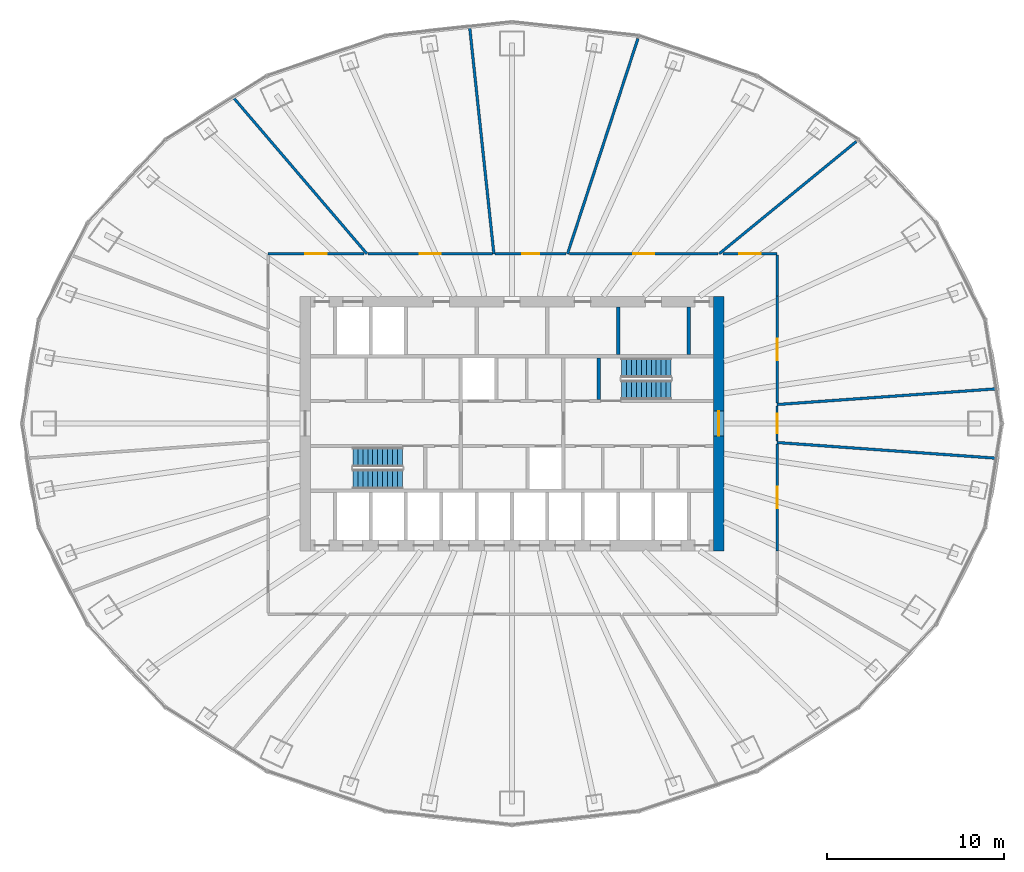
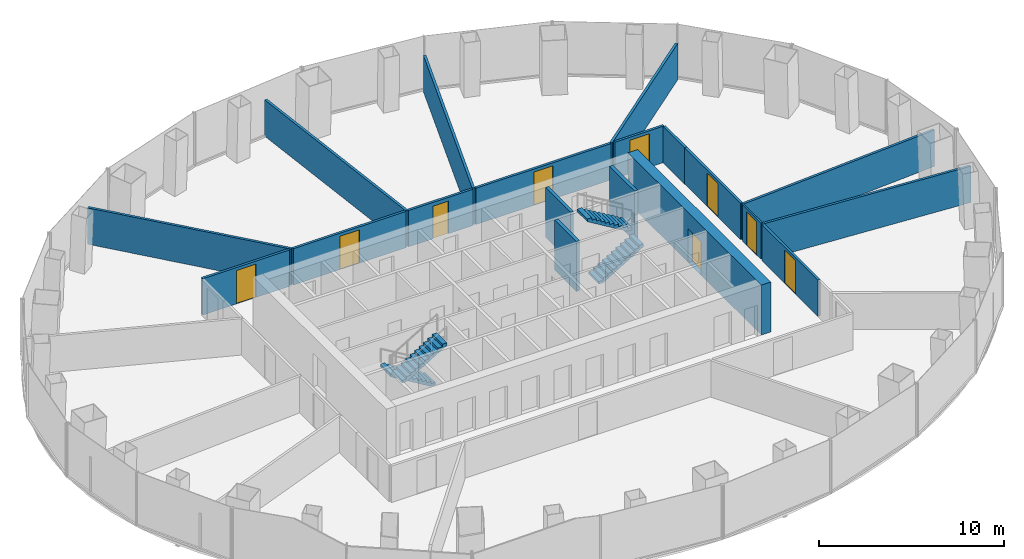
# One storey, part 10 of 11: 19 walls, 9 doors, 4 stair flights, 9 openings, 2 elements without a shape of their own.
"""IFC4 building model written with IfcOpenShell, lengths in metres."""

from ifc_helpers import new_model, si_unit, direction, frame, frame_2d, origin, place, context, subcontext, project, spatial, polyline, rectangle, outline, extrude, material, layer, layer_set, type_object, element, fill, aggregate, save


model = new_model("IFC4")

# Units and contexts
model_context = context("Model", 3, precision=1e-05, world=origin(), true_north=direction((0.0, 1.0)))
body_context = subcontext(model_context, "Body", "Model", "MODEL_VIEW")
ifc_project = project(units=[si_unit("LENGTHUNIT", "METRE"), si_unit("AREAUNIT", "SQUARE_METRE"), si_unit("VOLUMEUNIT", "CUBIC_METRE"), si_unit("PLANEANGLEUNIT", "RADIAN"), si_unit("MASSUNIT", "GRAM", prefix="KILO")], contexts=[model_context])

# Site, building, storey
site_placement = place(None, origin())
site = spatial("IfcSite", under=ifc_project, at=site_placement, CompositionType="ELEMENT")
building_placement = place(site_placement, origin())
building = spatial("IfcBuilding", under=site, at=building_placement, Name="Siaravel Broadcast Tower", CompositionType="ELEMENT")
storey_placement = place(building_placement, frame((0.0, 0.0, 55.60009765625)))
storey = spatial("IfcBuildingStorey", under=building, at=storey_placement, Name="L12", CompositionType="ELEMENT", Elevation=55.60009765625)

# Wall
ifc_material_1 = material(Name="Concrete blockwork", Category="masonry")
ifc_layer_1 = layer(ifc_material_1, 0.199951171875)
ifc_layer_set_1 = layer_set([ifc_layer_1], Name="Concrete blockwork")
wall_type_1 = type_object("IfcWallType", Name="Core partition 200", PredefinedType="PARTITIONING", material=ifc_layer_set_1)
wall_1_placement = place(storey_placement, frame((6.0, 3.89990234375, 0.0), z_axis=(0.0, 0.0, 1.0), x_axis=(0.0, 1.0, 0.0)))
element("IfcWall", 1, at=wall_1_placement, inside=storey, type_object=wall_type_1, Name="L12 core partition PFN6", PredefinedType="PARTITIONING", context=body_context, shape_type="SweptSolid", body=[
    extrude(rectangle(XDim=2.7001953125, YDim=0.199951171875, at=frame_2d((1.35009765625, 0.0))), origin(), (0.0, 0.0, 1.0), 3.2998046875),
])

# Wall, opening, door
ifc_material_2 = material(Name="Concrete C60/75", Category="concrete")
ifc_layer_2 = layer(ifc_material_2, 0.60009765625)
ifc_layer_set_2 = layer_set([ifc_layer_2], Name="Concrete C60/75")
wall_type_2 = type_object("IfcWallType", Name="Core wall 600", PredefinedType="SHEAR", material=ifc_layer_set_2)
wall_2_placement = place(storey_placement, frame((11.699951171875, -7.199951171875, 0.0), z_axis=(0.0, 0.0, 1.0), x_axis=(0.0, 1.0, 0.0)))
wall_2 = element("IfcWall", 2, at=wall_2_placement, inside=storey, type_object=wall_type_2, Name="L12 core wall OE", PredefinedType="SHEAR", context=body_context, shape_type="SweptSolid", body=[
    extrude(rectangle(XDim=14.39990234375, YDim=0.60009765625, at=frame_2d((7.199951171875, 0.0))), origin(), (0.0, 0.0, 1.0), 3.2998046875),
])
opening_1_placement = place(wall_2_placement, frame((6.5, 0.0, 0.0)))
opening_1 = element("IfcOpeningElement", 3, at=opening_1_placement, cuts=wall_2, Name="Opening L12-DX-E", PredefinedType="OPENING", context=body_context, shape_type="SweptSolid", body=[
    extrude(rectangle(XDim=1.39990234375, YDim=2.199951171875, at=frame_2d((0.699951171875, 1.10009765625))), frame((0.0, 0.31005859375, 0.0), z_axis=(0.0, -1.0, 0.0), x_axis=(1.0, 0.0, 0.0)), (0.0, 0.0, 1.0), 0.6201171875),
])
ifc_material_3 = material(Name="Steel", Category="steel")
door_type_1 = type_object("IfcDoorType", Name="Core exit door 1400", OperationType="DOUBLE_DOOR_SINGLE_SWING", PredefinedType="DOOR", material=ifc_material_3)
door_1_placement = place(opening_1_placement, origin())
door_1 = element("IfcDoor", 4, at=door_1_placement, inside=storey, type_object=door_type_1, Name="L12 door DX-E", OperationType="DOUBLE_DOOR_SINGLE_SWING", OverallHeight=2.199951171875, OverallWidth=1.39990234375, PredefinedType="DOOR", context=body_context, shape_type="SweptSolid", body=[
    extrude(rectangle(XDim=1.39990234375, YDim=2.199951171875, at=frame_2d((0.699951171875, 1.10009765625))), frame((0.0, 0.02490234375, 0.0), z_axis=(0.0, -1.0, 0.0), x_axis=(1.0, 0.0, 0.0)), (0.0, 0.0, 1.0), 0.050048828125),
])
fill(opening_1, door_1)

ifc_material_4 = material(Name="Gypsum board partition", Category="gypsum")
ifc_layer_3 = layer(ifc_material_4, 0.14990234375)
ifc_layer_set_3 = layer_set([ifc_layer_3], Name="Gypsum board partition")
wall_type_3 = type_object("IfcWallType", Name="Corridor wall 150", PredefinedType="PARTITIONING", material=ifc_layer_set_3)
wall_3_placement = place(storey_placement, frame((11.67041015625, 9.60009765625, 0.0), z_axis=(0.0, 0.0, 1.0), x_axis=(-1.0, 0.0, 0.0)))
wall_3 = element("IfcWall", 5, at=wall_3_placement, inside=storey, type_object=wall_type_3, Name="L12 partition 15", PredefinedType="PARTITIONING", context=body_context, shape_type="SweptSolid", body=[
    extrude(rectangle(XDim=8.424560546875, YDim=0.14990234375, at=frame_2d((4.21240234375, 0.0))), origin(), (0.0, 0.0, 1.0), 2.39990234375),
])
opening_2_placement = place(wall_3_placement, frame((3.6123046875, 0.0, 0.0)))
opening_2 = element("IfcOpeningElement", 6, at=opening_2_placement, cuts=wall_3, Name="Opening L12-003", PredefinedType="OPENING", context=body_context, shape_type="SweptSolid", body=[
    extrude(rectangle(XDim=1.199951171875, YDim=2.199951171875, at=frame_2d((0.60009765625, 1.10009765625))), frame((0.0, 0.0849609375, 0.0), z_axis=(0.0, -1.0, 0.0), x_axis=(1.0, 0.0, 0.0)), (0.0, 0.0, 1.0), 0.169921875),
])
ifc_material_5 = material(Name="Timber veneer", Category="wood")
door_type_2 = type_object("IfcDoorType", Name="Office double door 1200", OperationType="DOUBLE_DOOR_SINGLE_SWING", PredefinedType="DOOR", material=ifc_material_5)
door_2_placement = place(opening_2_placement, origin())
door_2 = element("IfcDoor", 7, at=door_2_placement, inside=storey, type_object=door_type_2, Name="L12 door to Open plan newsroom", OperationType="DOUBLE_DOOR_SINGLE_SWING", OverallHeight=2.199951171875, OverallWidth=1.199951171875, PredefinedType="DOOR", context=body_context, shape_type="SweptSolid", body=[
    extrude(rectangle(XDim=1.199951171875, YDim=2.199951171875, at=frame_2d((0.60009765625, 1.10009765625))), frame((0.0, 0.02490234375, 0.0), z_axis=(0.0, -1.0, 0.0), x_axis=(1.0, 0.0, 0.0)), (0.0, 0.0, 1.0), 0.050048828125),
])
fill(opening_2, door_2)

wall_4_placement = place(storey_placement, frame((-1.11083984375, 9.60009765625, 0.0), z_axis=(0.0, 0.0, 1.0), x_axis=(-1.0, 0.0, 0.0)))
wall_4 = element("IfcWall", 8, at=wall_4_placement, inside=storey, type_object=wall_type_3, Name="L12 partition 16", PredefinedType="PARTITIONING", context=body_context, shape_type="SweptSolid", body=[
    extrude(rectangle(XDim=7.03662109375, YDim=0.14990234375, at=frame_2d((3.518310546875, 0.0))), origin(), (0.0, 0.0, 1.0), 2.39990234375),
])
opening_3_placement = place(wall_4_placement, frame((2.918212890625, 0.0, 0.0)))
opening_3 = element("IfcOpeningElement", 9, at=opening_3_placement, cuts=wall_4, Name="Opening L12-005", PredefinedType="OPENING", context=body_context, shape_type="SweptSolid", body=[
    extrude(rectangle(XDim=1.199951171875, YDim=2.199951171875, at=frame_2d((0.60009765625, 1.10009765625))), frame((0.0, 0.0849609375, 0.0), z_axis=(0.0, -1.0, 0.0), x_axis=(1.0, 0.0, 0.0)), (0.0, 0.0, 1.0), 0.169921875),
])
door_3_placement = place(opening_3_placement, origin())
door_3 = element("IfcDoor", 10, at=door_3_placement, inside=storey, type_object=door_type_2, Name="L12 door to Open plan newsroom", OperationType="DOUBLE_DOOR_SINGLE_SWING", OverallHeight=2.199951171875, OverallWidth=1.199951171875, PredefinedType="DOOR", context=body_context, shape_type="SweptSolid", body=[
    extrude(rectangle(XDim=1.199951171875, YDim=2.199951171875, at=frame_2d((0.60009765625, 1.10009765625))), frame((0.0, 0.02490234375, 0.0), z_axis=(0.0, -1.0, 0.0), x_axis=(1.0, 0.0, 0.0)), (0.0, 0.0, 1.0), 0.050048828125),
])
fill(opening_3, door_3)

wall_5_placement = place(storey_placement, frame((15.0, -7.2119140625, 0.0), z_axis=(0.0, 0.0, 1.0), x_axis=(0.0, 1.0, 0.0)))
wall_5 = element("IfcWall", 11, at=wall_5_placement, inside=storey, type_object=wall_type_3, Name="L12 partition 18", PredefinedType="PARTITIONING", context=body_context, shape_type="SweptSolid", body=[
    extrude(rectangle(XDim=6.054443359375, YDim=0.14990234375, at=frame_2d((3.02734375, 0.0))), origin(), (0.0, 0.0, 1.0), 2.39990234375),
])
opening_4_placement = place(wall_5_placement, frame((2.42724609375, 0.0, 0.0)))
opening_4 = element("IfcOpeningElement", 12, at=opening_4_placement, cuts=wall_5, Name="Opening L12-015", PredefinedType="OPENING", context=body_context, shape_type="SweptSolid", body=[
    extrude(rectangle(XDim=1.199951171875, YDim=2.199951171875, at=frame_2d((0.60009765625, 1.10009765625))), frame((0.0, 0.0849609375, 0.0), z_axis=(0.0, -1.0, 0.0), x_axis=(1.0, 0.0, 0.0)), (0.0, 0.0, 1.0), 0.169921875),
])
door_4_placement = place(opening_4_placement, origin())
door_4 = element("IfcDoor", 13, at=door_4_placement, inside=storey, type_object=door_type_2, Name="L12 door to Open plan newsroom", OperationType="DOUBLE_DOOR_SINGLE_SWING", OverallHeight=2.199951171875, OverallWidth=1.199951171875, PredefinedType="DOOR", context=body_context, shape_type="SweptSolid", body=[
    extrude(rectangle(XDim=1.199951171875, YDim=2.199951171875, at=frame_2d((0.60009765625, 1.10009765625))), frame((0.0, 0.02490234375, 0.0), z_axis=(0.0, -1.0, 0.0), x_axis=(1.0, 0.0, 0.0)), (0.0, 0.0, 1.0), 0.050048828125),
])
fill(opening_4, door_4)

wall_6_placement = place(storey_placement, frame((15.0, 1.157470703125, 0.0), z_axis=(0.0, 0.0, 1.0), x_axis=(0.0, 1.0, 0.0)))
wall_6 = element("IfcWall", 14, at=wall_6_placement, inside=storey, type_object=wall_type_3, Name="L12 partition 19", PredefinedType="PARTITIONING", context=body_context, shape_type="SweptSolid", body=[
    extrude(rectangle(XDim=6.054443359375, YDim=0.14990234375, at=frame_2d((3.02734375, 0.0))), origin(), (0.0, 0.0, 1.0), 2.39990234375),
])
opening_5_placement = place(wall_6_placement, frame((2.42724609375, 0.0, 0.0)))
opening_5 = element("IfcOpeningElement", 15, at=opening_5_placement, cuts=wall_6, Name="Opening L12-001", PredefinedType="OPENING", context=body_context, shape_type="SweptSolid", body=[
    extrude(rectangle(XDim=1.199951171875, YDim=2.199951171875, at=frame_2d((0.60009765625, 1.10009765625))), frame((0.0, 0.0849609375, 0.0), z_axis=(0.0, -1.0, 0.0), x_axis=(1.0, 0.0, 0.0)), (0.0, 0.0, 1.0), 0.169921875),
])
door_5_placement = place(opening_5_placement, origin())
door_5 = element("IfcDoor", 16, at=door_5_placement, inside=storey, type_object=door_type_2, Name="L12 door to Open plan newsroom", OperationType="DOUBLE_DOOR_SINGLE_SWING", OverallHeight=2.199951171875, OverallWidth=1.199951171875, PredefinedType="DOOR", context=body_context, shape_type="SweptSolid", body=[
    extrude(rectangle(XDim=1.199951171875, YDim=2.199951171875, at=frame_2d((0.60009765625, 1.10009765625))), frame((0.0, 0.02490234375, 0.0), z_axis=(0.0, -1.0, 0.0), x_axis=(1.0, 0.0, 0.0)), (0.0, 0.0, 1.0), 0.050048828125),
])
fill(opening_5, door_5)

wall_7_placement = place(storey_placement, frame((-8.37109375, 9.60009765625, 0.0), z_axis=(0.0, 0.0, 1.0), x_axis=(-1.0, 0.0, 0.0)))
wall_7 = element("IfcWall", 17, at=wall_7_placement, inside=storey, type_object=wall_type_3, Name="L12 partition 20", PredefinedType="PARTITIONING", context=body_context, shape_type="SweptSolid", body=[
    extrude(rectangle(XDim=5.428955078125, YDim=0.14990234375, at=frame_2d((2.71435546875, 0.0))), origin(), (0.0, 0.0, 1.0), 2.39990234375),
])
opening_6_placement = place(wall_7_placement, frame((2.114501953125, 0.0, 0.0)))
opening_6 = element("IfcOpeningElement", 18, at=opening_6_placement, cuts=wall_7, Name="Opening L12-006", PredefinedType="OPENING", context=body_context, shape_type="SweptSolid", body=[
    extrude(rectangle(XDim=1.199951171875, YDim=2.199951171875, at=frame_2d((0.60009765625, 1.10009765625))), frame((0.0, 0.0849609375, 0.0), z_axis=(0.0, -1.0, 0.0), x_axis=(1.0, 0.0, 0.0)), (0.0, 0.0, 1.0), 0.169921875),
])
door_6_placement = place(opening_6_placement, origin())
door_6 = element("IfcDoor", 19, at=door_6_placement, inside=storey, type_object=door_type_2, Name="L12 door to Open plan newsroom", OperationType="DOUBLE_DOOR_SINGLE_SWING", OverallHeight=2.199951171875, OverallWidth=1.199951171875, PredefinedType="DOOR", context=body_context, shape_type="SweptSolid", body=[
    extrude(rectangle(XDim=1.199951171875, YDim=2.199951171875, at=frame_2d((0.60009765625, 1.10009765625))), frame((0.0, 0.02490234375, 0.0), z_axis=(0.0, -1.0, 0.0), x_axis=(1.0, 0.0, 0.0)), (0.0, 0.0, 1.0), 0.050048828125),
])
fill(opening_6, door_6)

wall_8_placement = place(storey_placement, frame((3.067138671875, 9.60009765625, 0.0), z_axis=(0.0, 0.0, 1.0), x_axis=(-1.0, 0.0, 0.0)))
wall_8 = element("IfcWall", 20, at=wall_8_placement, inside=storey, type_object=wall_type_3, Name="L12 partition 23", PredefinedType="PARTITIONING", context=body_context, shape_type="SweptSolid", body=[
    extrude(rectangle(XDim=4.015869140625, YDim=0.14990234375, at=frame_2d((2.0078125, 0.0))), origin(), (0.0, 0.0, 1.0), 2.39990234375),
])
opening_7_placement = place(wall_8_placement, frame((1.532958984375, 0.0, 0.0)))
opening_7 = element("IfcOpeningElement", 21, at=opening_7_placement, cuts=wall_8, Name="Opening L12-004", PredefinedType="OPENING", context=body_context, shape_type="SweptSolid", body=[
    extrude(rectangle(XDim=0.949951171875, YDim=2.14990234375, at=frame_2d((0.47509765625, 1.074951171875))), frame((0.0, 0.0849609375, 0.0), z_axis=(0.0, -1.0, 0.0), x_axis=(1.0, 0.0, 0.0)), (0.0, 0.0, 1.0), 0.169921875),
])
door_type_3 = type_object("IfcDoorType", Name="Office door 950", OperationType="SINGLE_SWING_LEFT", PredefinedType="DOOR", material=ifc_material_5)
door_7_placement = place(opening_7_placement, origin())
door_7 = element("IfcDoor", 22, at=door_7_placement, inside=storey, type_object=door_type_3, Name="L12 door to Production office", OperationType="SINGLE_SWING_RIGHT", OverallHeight=2.14990234375, OverallWidth=0.949951171875, PredefinedType="DOOR", context=body_context, shape_type="SweptSolid", body=[
    extrude(rectangle(XDim=0.949951171875, YDim=2.14990234375, at=frame_2d((0.47509765625, 1.074951171875))), frame((0.0, 0.02490234375, 0.0), z_axis=(0.0, -1.0, 0.0), x_axis=(1.0, 0.0, 0.0)), (0.0, 0.0, 1.0), 0.050048828125),
])
fill(opening_7, door_7)

wall_9_placement = place(storey_placement, frame((15.0, 9.60009765625, 0.0), z_axis=(0.0, 0.0, 1.0), x_axis=(-1.0, 0.0, 0.0)))
wall_9 = element("IfcWall", 23, at=wall_9_placement, inside=storey, type_object=wall_type_3, Name="L12 partition 25", PredefinedType="PARTITIONING", context=body_context, shape_type="SweptSolid", body=[
    extrude(rectangle(XDim=3.068115234375, YDim=0.14990234375, at=frame_2d((1.5341796875, 0.0))), origin(), (0.0, 0.0, 1.0), 2.39990234375),
])
opening_8_placement = place(wall_9_placement, frame((0.93408203125, 0.0, 0.0)))
opening_8 = element("IfcOpeningElement", 24, at=opening_8_placement, cuts=wall_9, Name="Opening L12-002", PredefinedType="OPENING", context=body_context, shape_type="SweptSolid", body=[
    extrude(rectangle(XDim=1.199951171875, YDim=2.199951171875, at=frame_2d((0.60009765625, 1.10009765625))), frame((0.0, 0.0849609375, 0.0), z_axis=(0.0, -1.0, 0.0), x_axis=(1.0, 0.0, 0.0)), (0.0, 0.0, 1.0), 0.169921875),
])
door_8_placement = place(opening_8_placement, origin())
door_8 = element("IfcDoor", 25, at=door_8_placement, inside=storey, type_object=door_type_2, Name="L12 door to Open plan newsroom", OperationType="DOUBLE_DOOR_SINGLE_SWING", OverallHeight=2.199951171875, OverallWidth=1.199951171875, PredefinedType="DOOR", context=body_context, shape_type="SweptSolid", body=[
    extrude(rectangle(XDim=1.199951171875, YDim=2.199951171875, at=frame_2d((0.60009765625, 1.10009765625))), frame((0.0, 0.02490234375, 0.0), z_axis=(0.0, -1.0, 0.0), x_axis=(1.0, 0.0, 0.0)), (0.0, 0.0, 1.0), 0.050048828125),
])
fill(opening_8, door_8)

# Wall
wall_10_placement = place(storey_placement, frame((15.0, 7.212890625, 0.0), z_axis=(0.0, 0.0, 1.0), x_axis=(0.0, 1.0, 0.0)))
element("IfcWall", 26, at=wall_10_placement, inside=storey, type_object=wall_type_3, Name="L12 partition 27", PredefinedType="PARTITIONING", context=body_context, shape_type="SweptSolid", body=[
    extrude(rectangle(XDim=2.31005859375, YDim=0.14990234375, at=frame_2d((1.155029296875, 0.0))), origin(), (0.0, 0.0, 1.0), 2.39990234375),
])

# Wall, opening, door
ifc_material_6 = material(Name="Glazed aluminium partition", Category="aluminium")
ifc_layer_4 = layer(ifc_material_6, 0.10009765625)
ifc_layer_set_4 = layer_set([ifc_layer_4], Name="Glazed aluminium partition")
wall_type_4 = type_object("IfcWallType", Name="Glazed meeting room partition 100", PredefinedType="PARTITIONING", material=ifc_layer_set_4)
wall_11_placement = place(storey_placement, frame((15.0, -0.998046875, 0.0), z_axis=(0.0, 0.0, 1.0), x_axis=(0.0, 1.0, 0.0)))
wall_11 = element("IfcWall", 27, at=wall_11_placement, inside=storey, type_object=wall_type_4, Name="L12 partition 29", PredefinedType="PARTITIONING", context=body_context, shape_type="SweptSolid", body=[
    extrude(rectangle(XDim=1.99609375, YDim=0.10009765625, at=frame_2d((0.998046875, 0.0))), origin(), (0.0, 0.0, 1.0), 2.39990234375),
])
opening_9_placement = place(wall_11_placement, frame((0.447998046875, 0.0, 0.0)))
opening_9 = element("IfcOpeningElement", 28, at=opening_9_placement, cuts=wall_11, Name="Opening L12-016", PredefinedType="OPENING", context=body_context, shape_type="SweptSolid", body=[
    extrude(rectangle(XDim=1.10009765625, YDim=2.199951171875, at=frame_2d((0.550048828125, 1.10009765625))), frame((0.0, 0.06005859375, 0.0), z_axis=(0.0, -1.0, 0.0), x_axis=(1.0, 0.0, 0.0)), (0.0, 0.0, 1.0), 0.1201171875),
])
door_type_4 = type_object("IfcDoorType", Name="Meeting room door 1100", OperationType="SINGLE_SWING_LEFT", PredefinedType="DOOR", material=ifc_material_5)
door_9_placement = place(opening_9_placement, origin())
door_9 = element("IfcDoor", 29, at=door_9_placement, inside=storey, type_object=door_type_4, Name="L12 door to Meeting room", OperationType="SINGLE_SWING_RIGHT", OverallHeight=2.199951171875, OverallWidth=1.10009765625, PredefinedType="DOOR", context=body_context, shape_type="SweptSolid", body=[
    extrude(rectangle(XDim=1.10009765625, YDim=2.199951171875, at=frame_2d((0.550048828125, 1.10009765625))), frame((0.0, 0.02490234375, 0.0), z_axis=(0.0, -1.0, 0.0), x_axis=(1.0, 0.0, 0.0)), (0.0, 0.0, 1.0), 0.050048828125),
])
fill(opening_9, door_9)

# Walls
ifc_layer_5 = layer(ifc_material_4, 0.14990234375)
ifc_layer_set_5 = layer_set([ifc_layer_5], Name="Gypsum board partition")
wall_type_5 = type_object("IfcWallType", Name="Room partition 150", PredefinedType="PARTITIONING", material=ifc_layer_set_5)
wall_12_placement = place(storey_placement, frame((-2.39990234375, 22.468994140625, 0.0), z_axis=(0.0, 0.0, 1.0), x_axis=(0.106204745, -0.994344283, 0.0)))
element("IfcWall", 30, at=wall_12_placement, inside=storey, type_object=wall_type_5, Name="L12 partition 3", PredefinedType="PARTITIONING", context=body_context, shape_type="SweptSolid", body=[
    extrude(rectangle(XDim=12.942138671875, YDim=0.14990234375, at=frame_2d((6.47119140625, 0.0))), origin(), (0.0, 0.0, 1.0), 2.39990234375),
])
wall_13_placement = place(storey_placement, frame((7.126953125, 21.787109375, 0.0), z_axis=(0.0, 0.0, 1.0), x_axis=(-0.310904913, -0.950441021, 0.0)))
element("IfcWall", 31, at=wall_13_placement, inside=storey, type_object=wall_type_5, Name="L12 partition 4", PredefinedType="PARTITIONING", context=body_context, shape_type="SweptSolid", body=[
    extrude(rectangle(XDim=12.822509765625, YDim=0.14990234375, at=frame_2d((6.4111328125, 0.0))), origin(), (0.0, 0.0, 1.0), 2.39990234375),
])
for number, where, z_axis, x_axis, name in (
    (32, (15.0, 1.074951171875, 0.0), (0.0, 0.0, 1.0), (0.997442798, 0.071469326, 0.0), "L12 partition 5"),
    (33, (27.45703125, -1.967529296875, 0.0), (0.0, 0.0, 1.0), (-0.997442798, 0.071469326, 0.0), "L12 partition 6"),
):
    element("IfcWall", number, at=place(storey_placement, frame(where, z_axis=z_axis, x_axis=x_axis)), inside=storey, type_object=wall_type_5, Name=name, PredefinedType="PARTITIONING", context=body_context, shape_type="SweptSolid", body=[
        extrude(rectangle(XDim=12.489013671875, YDim=0.14990234375, at=frame_2d((6.24462890625, 0.0))), origin(), (0.0, 0.0, 1.0), 2.39990234375),
    ])
wall_14_placement = place(storey_placement, frame((-15.7978515625, 18.48046875, 0.0), z_axis=(0.0, 0.0, 1.0), x_axis=(0.649782318, -0.760120345, 0.0)))
element("IfcWall", 34, at=wall_14_placement, inside=storey, type_object=wall_type_5, Name="L12 partition 9", PredefinedType="PARTITIONING", context=body_context, shape_type="SweptSolid", body=[
    extrude(rectangle(XDim=11.682861328125, YDim=0.14990234375, at=frame_2d((5.84130859375, 0.0))), origin(), (0.0, 0.0, 1.0), 2.39990234375),
])
wall_15_placement = place(storey_placement, frame((19.478515625, 15.955078125, 0.0), z_axis=(0.0, 0.0, 1.0), x_axis=(-0.773611193, -0.633660573, 0.0)))
element("IfcWall", 35, at=wall_15_placement, inside=storey, type_object=wall_type_5, Name="L12 partition 12", PredefinedType="PARTITIONING", context=body_context, shape_type="SweptSolid", body=[
    extrude(rectangle(XDim=10.029052734375, YDim=0.14990234375, at=frame_2d((5.0146484375, 0.0))), origin(), (0.0, 0.0, 1.0), 2.39990234375),
])
ifc_layer_6 = layer(ifc_material_2, 0.199951171875)
ifc_layer_set_6 = layer_set([ifc_layer_6], Name="Concrete C60/75")
wall_type_6 = type_object("IfcWallType", Name="Shaft wall 200", PredefinedType="SHEAR", material=ifc_layer_set_6)
wall_16_placement = place(storey_placement, frame((10.0, 3.89990234375, 0.0), z_axis=(0.0, 0.0, 1.0), x_axis=(0.0, 1.0, 0.0)))
element("IfcWall", 36, at=wall_16_placement, inside=storey, type_object=wall_type_6, Name="L12 core wall SWN10", PredefinedType="SHEAR", context=body_context, shape_type="SweptSolid", body=[
    extrude(rectangle(XDim=2.7001953125, YDim=0.199951171875, at=frame_2d((1.35009765625, 0.0))), origin(), (0.0, 0.0, 1.0), 3.2998046875),
])
wall_17_placement = place(storey_placement, frame((4.89990234375, 1.35009765625, 0.0), z_axis=(0.0, 0.0, 1.0), x_axis=(0.0, 1.0, 0.0)))
element("IfcWall", 37, at=wall_17_placement, inside=storey, type_object=wall_type_6, Name="L12 core wall ST2W", PredefinedType="SHEAR", context=body_context, shape_type="SweptSolid", body=[
    extrude(rectangle(XDim=2.349853515625, YDim=0.199951171875, at=frame_2d((1.1748046875, 0.0))), origin(), (0.0, 0.0, 1.0), 3.2998046875),
])

# Stair, stair flights
ifc_material_7 = material(Name="Concrete C40/50", Category="concrete")
stair_type = type_object("IfcStairType", Name="Core exit stair", PredefinedType="HALF_TURN_STAIR", material=ifc_material_7)
stair_1_placement = place(storey_placement, origin())
stair_1 = element("IfcStair", 38, at=stair_1_placement, inside=storey, type_object=stair_type, Name="L12 Exit stair ST-1", PredefinedType="HALF_TURN_STAIR")
stair_flight_type = type_object("IfcStairFlightType", Name="Stair flight 1100", PredefinedType="STRAIGHT", material=ifc_material_7)
stair_flight_1_placement = place(storey_placement, frame((-6.199951171875, -1.89990234375, 0.0), z_axis=(0.0, 0.0, 1.0), x_axis=(-1.0, 0.0, 0.0)))
stair_flight_1 = element("IfcStairFlight", 39, at=stair_flight_1_placement, type_object=stair_flight_type, Name="ST-1 flight 1", NumberOfRisers=11, NumberOfTreads=10, PredefinedType="STRAIGHT", RiserHeight=0.1681818, TreadLength=0.28, context=body_context, shape_type="SweptSolid", body=[
    extrude(outline(polyline([(0.0, 0.0), (0.0, 0.168212890625), (0.280029296875, 0.168212890625), (0.280029296875, 0.33642578125), (0.56005859375, 0.33642578125), (0.56005859375, 0.504638671875), (0.840087890625, 0.504638671875), (0.840087890625, 0.672607421875), (1.1201171875, 0.672607421875), (1.1201171875, 0.8408203125), (1.39990234375, 0.8408203125), (1.39990234375, 1.009033203125), (1.679931640625, 1.009033203125), (1.679931640625, 1.17724609375), (1.9599609375, 1.17724609375), (1.9599609375, 1.345458984375), (2.239990234375, 1.345458984375), (2.239990234375, 1.513671875), (2.52001953125, 1.513671875), (2.52001953125, 1.681884765625), (2.800048828125, 1.681884765625), (2.800048828125, 1.85009765625), (2.800048828125, 1.5068359375), (0.291015625, 0.0), (0.0, 0.0)])), frame((0.0, 0.550048828125, 0.0), z_axis=(0.0, -1.0, 0.0), x_axis=(1.0, 0.0, 0.0)), (0.0, 0.0, 1.0), 1.10009765625),
])
stair_flight_2_placement = place(storey_placement, frame((-9.0, -3.14990234375, 1.849853515625), z_axis=(0.0, 0.0, 1.0), x_axis=(1.0, 0.0, 0.0)))
stair_flight_2 = element("IfcStairFlight", 40, at=stair_flight_2_placement, type_object=stair_flight_type, Name="ST-1 flight 2", NumberOfRisers=11, NumberOfTreads=10, PredefinedType="STRAIGHT", RiserHeight=0.1681818, TreadLength=0.28, context=body_context, shape_type="SweptSolid", body=[
    extrude(outline(polyline([(0.0, 0.0), (0.0, 0.168212890625), (0.280029296875, 0.168212890625), (0.280029296875, 0.33642578125), (0.56005859375, 0.33642578125), (0.56005859375, 0.504638671875), (0.840087890625, 0.504638671875), (0.840087890625, 0.672607421875), (1.1201171875, 0.672607421875), (1.1201171875, 0.8408203125), (1.39990234375, 0.8408203125), (1.39990234375, 1.009033203125), (1.679931640625, 1.009033203125), (1.679931640625, 1.17724609375), (1.9599609375, 1.17724609375), (1.9599609375, 1.345458984375), (2.239990234375, 1.345458984375), (2.239990234375, 1.513671875), (2.52001953125, 1.513671875), (2.52001953125, 1.681884765625), (2.800048828125, 1.681884765625), (2.800048828125, 1.85009765625), (2.800048828125, 1.5068359375), (0.291015625, 0.0), (0.0, 0.0)])), frame((0.0, 0.550048828125, 0.0), z_axis=(0.0, -1.0, 0.0), x_axis=(1.0, 0.0, 0.0)), (0.0, 0.0, 1.0), 1.10009765625),
])
aggregate(stair_1, [stair_flight_1, stair_flight_2])

stair_2_placement = place(storey_placement, origin())
stair_2 = element("IfcStair", 41, at=stair_2_placement, inside=storey, type_object=stair_type, Name="L12 Exit stair ST-2", PredefinedType="HALF_TURN_STAIR")
stair_flight_3_placement = place(storey_placement, frame((6.199951171875, 1.89990234375, 0.0), z_axis=(0.0, 0.0, 1.0), x_axis=(1.0, 0.0, 0.0)))
stair_flight_3 = element("IfcStairFlight", 42, at=stair_flight_3_placement, type_object=stair_flight_type, Name="ST-2 flight 1", NumberOfRisers=11, NumberOfTreads=10, PredefinedType="STRAIGHT", RiserHeight=0.1681818, TreadLength=0.28, context=body_context, shape_type="SweptSolid", body=[
    extrude(outline(polyline([(0.0, 0.0), (0.0, 0.168212890625), (0.280029296875, 0.168212890625), (0.280029296875, 0.33642578125), (0.56005859375, 0.33642578125), (0.56005859375, 0.504638671875), (0.840087890625, 0.504638671875), (0.840087890625, 0.672607421875), (1.1201171875, 0.672607421875), (1.1201171875, 0.8408203125), (1.39990234375, 0.8408203125), (1.39990234375, 1.009033203125), (1.679931640625, 1.009033203125), (1.679931640625, 1.17724609375), (1.9599609375, 1.17724609375), (1.9599609375, 1.345458984375), (2.239990234375, 1.345458984375), (2.239990234375, 1.513671875), (2.52001953125, 1.513671875), (2.52001953125, 1.681884765625), (2.800048828125, 1.681884765625), (2.800048828125, 1.85009765625), (2.800048828125, 1.5068359375), (0.291015625, 0.0), (0.0, 0.0)])), frame((0.0, 0.550048828125, 0.0), z_axis=(0.0, -1.0, 0.0), x_axis=(1.0, 0.0, 0.0)), (0.0, 0.0, 1.0), 1.10009765625),
])
stair_flight_4_placement = place(storey_placement, frame((9.0, 3.14990234375, 1.849853515625), z_axis=(0.0, 0.0, 1.0), x_axis=(-1.0, 0.0, 0.0)))
stair_flight_4 = element("IfcStairFlight", 43, at=stair_flight_4_placement, type_object=stair_flight_type, Name="ST-2 flight 2", NumberOfRisers=11, NumberOfTreads=10, PredefinedType="STRAIGHT", RiserHeight=0.1681818, TreadLength=0.28, context=body_context, shape_type="SweptSolid", body=[
    extrude(outline(polyline([(0.0, 0.0), (0.0, 0.168212890625), (0.280029296875, 0.168212890625), (0.280029296875, 0.33642578125), (0.56005859375, 0.33642578125), (0.56005859375, 0.504638671875), (0.840087890625, 0.504638671875), (0.840087890625, 0.672607421875), (1.1201171875, 0.672607421875), (1.1201171875, 0.8408203125), (1.39990234375, 0.8408203125), (1.39990234375, 1.009033203125), (1.679931640625, 1.009033203125), (1.679931640625, 1.17724609375), (1.9599609375, 1.17724609375), (1.9599609375, 1.345458984375), (2.239990234375, 1.345458984375), (2.239990234375, 1.513671875), (2.52001953125, 1.513671875), (2.52001953125, 1.681884765625), (2.800048828125, 1.681884765625), (2.800048828125, 1.85009765625), (2.800048828125, 1.5068359375), (0.291015625, 0.0), (0.0, 0.0)])), frame((0.0, 0.550048828125, 0.0), z_axis=(0.0, -1.0, 0.0), x_axis=(1.0, 0.0, 0.0)), (0.0, 0.0, 1.0), 1.10009765625),
])
aggregate(stair_2, [stair_flight_3, stair_flight_4])

save(model, "model.ifc")
